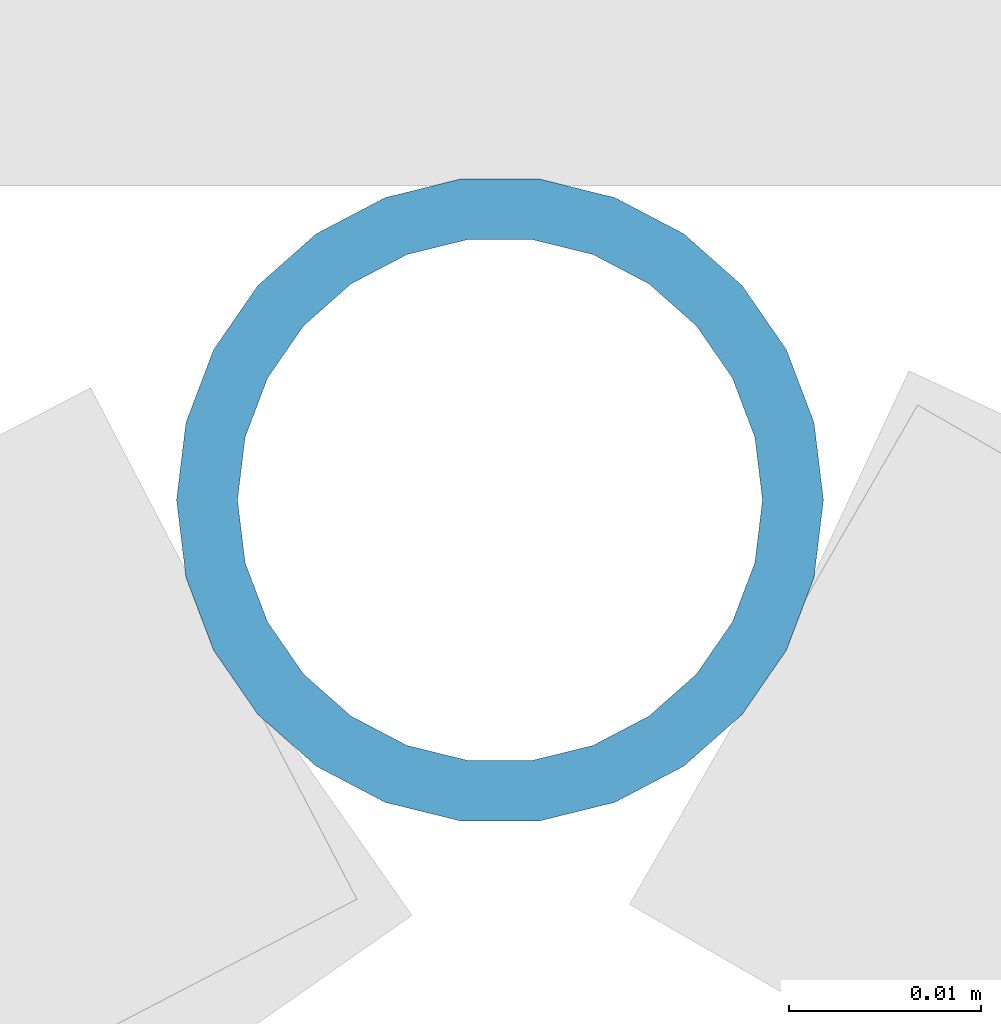
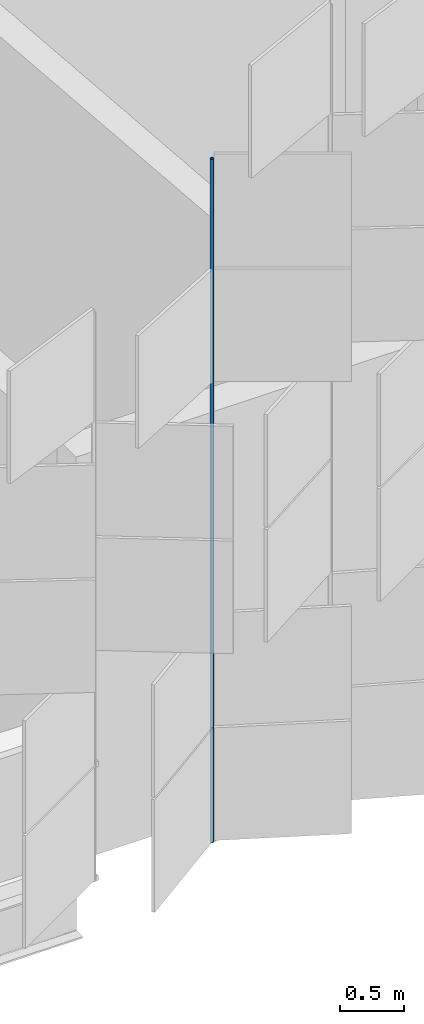
# One storey, part 156 of 483: 1 discrete accessory.
"""IFC4 building model written with IfcOpenShell, lengths in metres."""

from ifc_helpers import new_model, si_unit, direction, frame, origin, origin_2d, place, context, subcontext, project, spatial, hollow_circle, extrude, material, material_profile, profile_set, type_object, element, save


model = new_model("IFC4")

# Units and contexts
model_context = context("Model", 3, precision=1e-05, world=origin(), true_north=direction((0.0, 1.0)))
body_context = subcontext(model_context, "Body", "Model", "MODEL_VIEW")
ifc_project = project(units=[si_unit("LENGTHUNIT", "METRE"), si_unit("AREAUNIT", "SQUARE_METRE"), si_unit("VOLUMEUNIT", "CUBIC_METRE"), si_unit("PLANEANGLEUNIT", "RADIAN"), si_unit("MASSUNIT", "GRAM", prefix="KILO")], contexts=[model_context])

# Site, building, storey
site_placement = place(None, origin())
site = spatial("IfcSite", under=ifc_project, at=site_placement, CompositionType="ELEMENT")
building_placement = place(site_placement, origin())
building = spatial("IfcBuilding", under=site, at=building_placement, Name="Parallax Yard Mobility Hub", CompositionType="ELEMENT")
storey_placement = place(building_placement, frame((0.0, 0.0, 13.199951171875)))
storey = spatial("IfcBuildingStorey", under=building, at=storey_placement, Name="L04", CompositionType="ELEMENT", Elevation=13.199951171875)

# Discrete accessory
ifc_material = material(Name="Steel ASTM A500 Gr C, hot-dip galvanised", Category="steel")
ifc_material_profile = material_profile(ifc_material, hollow_circle(Radius=0.016845703125, WallThickness=0.003173828125, at=origin_2d()), Name="CHS 33.7x3.2")
ifc_profile_set = profile_set([ifc_material_profile], Name="Steel ASTM A500 Gr C, hot-dip galvanised")
discrete_accessory_type = type_object("IfcDiscreteAccessoryType", Name="Hinge post CHS 33.7x3.2", PredefinedType="BRACKET", material=ifc_profile_set)
discrete_accessory_placement = place(storey_placement, frame((128.55908203125, 112.199951171875, 0.0), z_axis=(0.0, 0.0, 1.0), x_axis=(1.0, 0.0, 0.0)))
element("IfcDiscreteAccessory", 1, at=discrete_accessory_placement, inside=storey, type_object=discrete_accessory_type, Name="Hinge post bay 13.2 level L04", PredefinedType="BRACKET", context=body_context, shape_type="SweptSolid", body=[
    extrude(hollow_circle(Radius=0.016845703125, WallThickness=0.003173828125, at=origin_2d()), origin(), (0.0, 0.0, 1.0), 6.550048828125),
])

save(model, "model.ifc")
